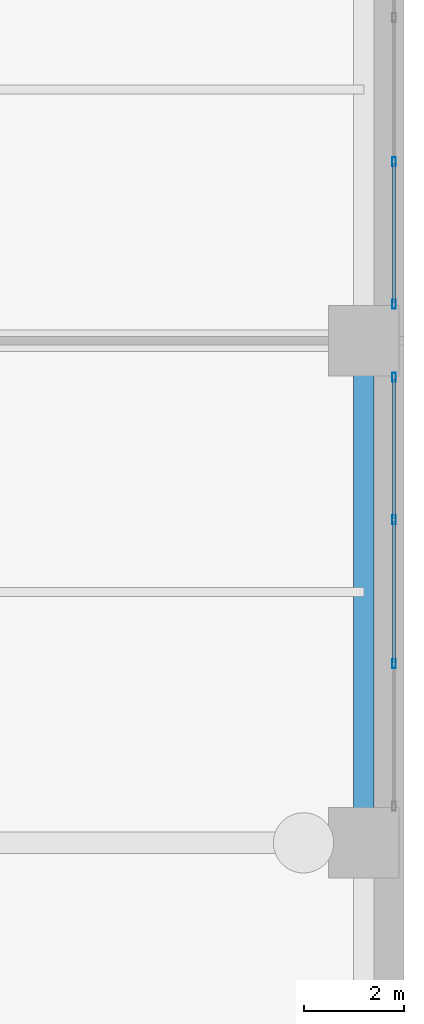
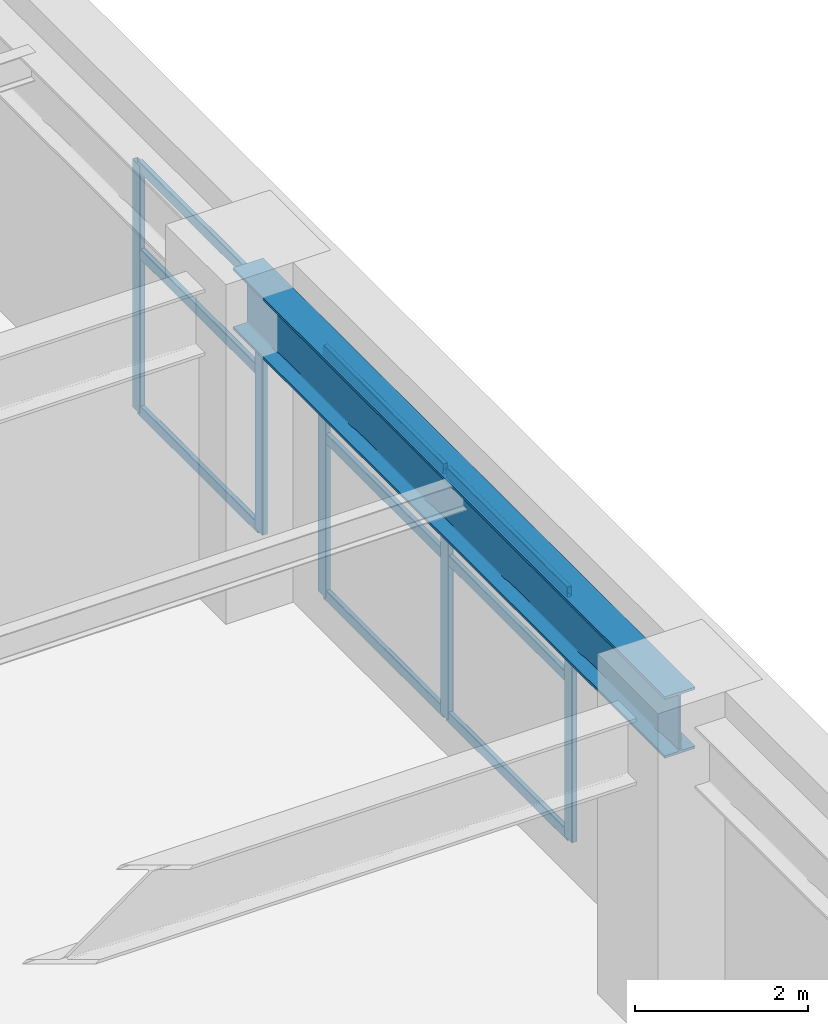
# One storey, part 14 of 25: 14 members, 1 beam, 2 elements without a shape of their own.
"""IFC4 building model written with IfcOpenShell, lengths in metres."""

from ifc_helpers import new_model, si_unit, direction, frame, origin, origin_2d, place, context, subcontext, project, spatial, hollow_rectangle, i_section, extrude, material, layer, layer_set, material_profile, profile_set, type_object, element, aggregate, save


model = new_model("IFC4")

# Units and contexts
model_context = context("Model", 3, precision=1e-05, world=origin(), true_north=direction((0.0, 1.0)))
body_context = subcontext(model_context, "Body", "Model", "MODEL_VIEW")
ifc_project = project(units=[si_unit("LENGTHUNIT", "METRE"), si_unit("AREAUNIT", "SQUARE_METRE"), si_unit("VOLUMEUNIT", "CUBIC_METRE"), si_unit("PLANEANGLEUNIT", "RADIAN"), si_unit("MASSUNIT", "GRAM", prefix="KILO")], contexts=[model_context])

# Site, building, storey
site_placement = place(None, origin())
site = spatial("IfcSite", under=ifc_project, at=site_placement, CompositionType="ELEMENT")
building_placement = place(site_placement, origin())
building = spatial("IfcBuilding", under=site, at=building_placement, Name="Soratama Intermodal Tower", CompositionType="ELEMENT")
storey_placement = place(building_placement, frame((0.0, 0.0, -10.199951171875)))
storey = spatial("IfcBuildingStorey", under=building, at=storey_placement, Name="B2", CompositionType="ELEMENT", Elevation=-10.199951171875)

# Beam
ifc_material_1 = material(Name="Structural steel ASTM A992 Grade 50", Category="steel")
ifc_material_profile_1 = material_profile(ifc_material_1, i_section(OverallWidth=0.403076171875, OverallDepth=0.867919921875, WebThickness=0.02099609375, FlangeThickness=0.03564453125, FilletRadius=0.01806640625, at=origin_2d()), Name="W33X241")
ifc_profile_set_1 = profile_set([ifc_material_profile_1], Name="Structural steel ASTM A992 Grade 50")
beam_type = type_object("IfcBeamType", Name="BM-POD-EXT-W33", PredefinedType="BEAM", material=ifc_profile_set_1)
beam_placement = place(storey_placement, frame((83.199951171875, 15.0, 4.005859375), z_axis=(0.0, 1.0, 0.0), x_axis=(-1.0, 0.0, 0.0)))
element("IfcBeam", 1, at=beam_placement, inside=storey, type_object=beam_type, Name="B2 Station Girder Y4-2", PredefinedType="BEAM", context=body_context, shape_type="SweptSolid", body=[
    extrude(i_section(OverallWidth=0.403076171875, OverallDepth=0.867919921875, WebThickness=0.02099609375, FlangeThickness=0.03564453125, FilletRadius=0.01806640625, at=origin_2d()), origin(), (0.0, 0.0, 1.0), 10.0),
])

# Curtain wall, members
ifc_material_2 = material(Name="Double-glazed aluminium curtain wall", Category="aluminium")
ifc_layer = layer(ifc_material_2, 0.159912109375)
ifc_layer_set = layer_set([ifc_layer], Name="Double-glazed aluminium curtain wall")
curtain_wall_type = type_object("IfcCurtainWallType", Name="CW-SYS-1", PredefinedType="NOTDEFINED", material=ifc_layer_set)
curtain_wall_1_placement = place(storey_placement, origin())
curtain_wall_1 = element("IfcCurtainWall", 2, at=curtain_wall_1_placement, inside=storey, type_object=curtain_wall_type, Name="B2 Station Curtain Wall E1", PredefinedType="NOTDEFINED")
ifc_material_3 = material(Name="Anodised aluminium AA 6063-T6", Category="aluminium")
ifc_material_profile_2 = material_profile(ifc_material_3, hollow_rectangle(XDim=0.074951171875, YDim=0.179931640625, WallThickness=0.006103515625, InnerFilletRadius=0.006103515625, OuterFilletRadius=0.011962890625, at=origin_2d()), Name="CWM180X75X6")
ifc_profile_set_2 = profile_set([ifc_material_profile_2], Name="Anodised aluminium AA 6063-T6")
member_type_1 = type_object("IfcMemberType", Name="MT-CWM-1", PredefinedType="MULLION", material=ifc_profile_set_2)
member_1_placement = place(storey_placement, frame((83.800048828125, 18.566650390625, 0.0), z_axis=(0.0, 0.0, 1.0), x_axis=(-1.0, 0.0, 0.0)))
member_1 = element("IfcMember", 3, at=member_1_placement, type_object=member_type_1, Name="CW-1 mullion 2", PredefinedType="MULLION", context=body_context, shape_type="SweptSolid", body=[
    extrude(hollow_rectangle(XDim=0.074951171875, YDim=0.179931640625, WallThickness=0.006103515625, InnerFilletRadius=0.006103515625, OuterFilletRadius=0.011962890625, at=origin_2d()), origin(), (0.0, 0.0, 1.0), 3.495849609375),
])
member_2_placement = place(storey_placement, frame((83.800048828125, 21.433349609375, 0.0), z_axis=(0.0, 0.0, 1.0), x_axis=(-1.0, 0.0, 0.0)))
member_2 = element("IfcMember", 4, at=member_2_placement, type_object=member_type_1, Name="CW-1 mullion 3", PredefinedType="MULLION", context=body_context, shape_type="SweptSolid", body=[
    extrude(hollow_rectangle(XDim=0.074951171875, YDim=0.179931640625, WallThickness=0.006103515625, InnerFilletRadius=0.006103515625, OuterFilletRadius=0.011962890625, at=origin_2d()), origin(), (0.0, 0.0, 1.0), 3.495849609375),
])
member_3_placement = place(storey_placement, frame((83.800048828125, 24.27001953125, 0.0), z_axis=(0.0, 0.0, 1.0), x_axis=(-1.0, 0.0, 0.0)))
member_3 = element("IfcMember", 5, at=member_3_placement, type_object=member_type_1, Name="CW-1 mullion 4", PredefinedType="MULLION", context=body_context, shape_type="SweptSolid", body=[
    extrude(hollow_rectangle(XDim=0.074951171875, YDim=0.179931640625, WallThickness=0.006103515625, InnerFilletRadius=0.006103515625, OuterFilletRadius=0.011962890625, at=origin_2d()), origin(), (0.0, 0.0, 1.0), 3.495849609375),
])

curtain_wall_2_placement = place(storey_placement, origin())
curtain_wall_2 = element("IfcCurtainWall", 6, at=curtain_wall_2_placement, inside=storey, type_object=curtain_wall_type, Name="B2 Station Curtain Wall E2", PredefinedType="NOTDEFINED")
member_4_placement = place(storey_placement, frame((83.800048828125, 25.72998046875, 0.0), z_axis=(0.0, 0.0, 1.0), x_axis=(-1.0, 0.0, 0.0)))
member_4 = element("IfcMember", 7, at=member_4_placement, type_object=member_type_1, Name="CW-1 mullion 1", PredefinedType="MULLION", context=body_context, shape_type="SweptSolid", body=[
    extrude(hollow_rectangle(XDim=0.074951171875, YDim=0.179931640625, WallThickness=0.006103515625, InnerFilletRadius=0.006103515625, OuterFilletRadius=0.011962890625, at=origin_2d()), origin(), (0.0, 0.0, 1.0), 3.495849609375),
])
member_5_placement = place(storey_placement, frame((83.800048828125, 28.566650390625, 0.0), z_axis=(0.0, 0.0, 1.0), x_axis=(-1.0, 0.0, 0.0)))
member_5 = element("IfcMember", 8, at=member_5_placement, type_object=member_type_1, Name="CW-1 mullion 2", PredefinedType="MULLION", context=body_context, shape_type="SweptSolid", body=[
    extrude(hollow_rectangle(XDim=0.074951171875, YDim=0.179931640625, WallThickness=0.006103515625, InnerFilletRadius=0.006103515625, OuterFilletRadius=0.011962890625, at=origin_2d()), origin(), (0.0, 0.0, 1.0), 3.495849609375),
])

# Member
ifc_material_4 = material(Name="Anodised aluminium AA 6063-T6", Category="aluminium")
ifc_material_profile_3 = material_profile(ifc_material_4, hollow_rectangle(XDim=0.06494140625, YDim=0.14990234375, WallThickness=0.0048828125, InnerFilletRadius=0.0048828125, OuterFilletRadius=0.010009765625, at=origin_2d()), Name="CWT150X65X5")
ifc_profile_set_3 = profile_set([ifc_material_profile_3], Name="Anodised aluminium AA 6063-T6")
member_type_2 = type_object("IfcMemberType", Name="TT-CWT-1", PredefinedType="USERDEFINED", material=ifc_profile_set_3)
member_6_placement = place(storey_placement, frame((83.800048828125, 18.5966796875, 0.030029296875), z_axis=(0.0, 1.0, 0.0), x_axis=(-1.0, 0.0, 0.0)))
member_6 = element("IfcMember", 9, at=member_6_placement, type_object=member_type_2, Name="CW-1 transom 2.1", ObjectType="TRANSOM", PredefinedType="USERDEFINED", context=body_context, shape_type="SweptSolid", body=[
    extrude(hollow_rectangle(XDim=0.06494140625, YDim=0.14990234375, WallThickness=0.0048828125, InnerFilletRadius=0.0048828125, OuterFilletRadius=0.010009765625, at=origin_2d()), origin(), (0.0, 0.0, 1.0), 2.806640625),
])

member_7_placement = place(storey_placement, frame((83.800048828125, 18.5966796875, 2.25), z_axis=(0.0, 1.0, 0.0), x_axis=(-1.0, 0.0, 0.0)))
member_7 = element("IfcMember", 10, at=member_7_placement, type_object=member_type_2, Name="CW-1 transom 2.2", ObjectType="TRANSOM", PredefinedType="USERDEFINED", context=body_context, shape_type="SweptSolid", body=[
    extrude(hollow_rectangle(XDim=0.06494140625, YDim=0.14990234375, WallThickness=0.0048828125, InnerFilletRadius=0.0048828125, OuterFilletRadius=0.010009765625, at=origin_2d()), origin(), (0.0, 0.0, 1.0), 2.806640625),
])

member_8_placement = place(storey_placement, frame((83.800048828125, 18.5966796875, 3.466064453125), z_axis=(0.0, 1.0, 0.0), x_axis=(-1.0, 0.0, 0.0)))
member_8 = element("IfcMember", 11, at=member_8_placement, type_object=member_type_2, Name="CW-1 transom 2.3", ObjectType="TRANSOM", PredefinedType="USERDEFINED", context=body_context, shape_type="SweptSolid", body=[
    extrude(hollow_rectangle(XDim=0.06494140625, YDim=0.14990234375, WallThickness=0.0048828125, InnerFilletRadius=0.0048828125, OuterFilletRadius=0.010009765625, at=origin_2d()), origin(), (0.0, 0.0, 1.0), 2.806640625),
])

member_9_placement = place(storey_placement, frame((83.800048828125, 21.46337890625, 0.030029296875), z_axis=(0.0, 1.0, 0.0), x_axis=(-1.0, 0.0, 0.0)))
member_9 = element("IfcMember", 12, at=member_9_placement, type_object=member_type_2, Name="CW-1 transom 3.1", ObjectType="TRANSOM", PredefinedType="USERDEFINED", context=body_context, shape_type="SweptSolid", body=[
    extrude(hollow_rectangle(XDim=0.06494140625, YDim=0.14990234375, WallThickness=0.0048828125, InnerFilletRadius=0.0048828125, OuterFilletRadius=0.010009765625, at=origin_2d()), origin(), (0.0, 0.0, 1.0), 2.776611328125),
])

member_10_placement = place(storey_placement, frame((83.800048828125, 21.46337890625, 2.25), z_axis=(0.0, 1.0, 0.0), x_axis=(-1.0, 0.0, 0.0)))
member_10 = element("IfcMember", 13, at=member_10_placement, type_object=member_type_2, Name="CW-1 transom 3.2", ObjectType="TRANSOM", PredefinedType="USERDEFINED", context=body_context, shape_type="SweptSolid", body=[
    extrude(hollow_rectangle(XDim=0.06494140625, YDim=0.14990234375, WallThickness=0.0048828125, InnerFilletRadius=0.0048828125, OuterFilletRadius=0.010009765625, at=origin_2d()), origin(), (0.0, 0.0, 1.0), 2.776611328125),
])

member_11_placement = place(storey_placement, frame((83.800048828125, 21.46337890625, 3.466064453125), z_axis=(0.0, 1.0, 0.0), x_axis=(-1.0, 0.0, 0.0)))
member_11 = element("IfcMember", 14, at=member_11_placement, type_object=member_type_2, Name="CW-1 transom 3.3", ObjectType="TRANSOM", PredefinedType="USERDEFINED", context=body_context, shape_type="SweptSolid", body=[
    extrude(hollow_rectangle(XDim=0.06494140625, YDim=0.14990234375, WallThickness=0.0048828125, InnerFilletRadius=0.0048828125, OuterFilletRadius=0.010009765625, at=origin_2d()), origin(), (0.0, 0.0, 1.0), 2.776611328125),
])

aggregate(curtain_wall_1, [member_1, member_2, member_3, member_6, member_7, member_8, member_9, member_10, member_11])

member_12_placement = place(storey_placement, frame((83.800048828125, 25.760009765625, 0.030029296875), z_axis=(0.0, 1.0, 0.0), x_axis=(-1.0, 0.0, 0.0)))
member_12 = element("IfcMember", 15, at=member_12_placement, type_object=member_type_2, Name="CW-1 transom 1.1", ObjectType="TRANSOM", PredefinedType="USERDEFINED", context=body_context, shape_type="SweptSolid", body=[
    extrude(hollow_rectangle(XDim=0.06494140625, YDim=0.14990234375, WallThickness=0.0048828125, InnerFilletRadius=0.0048828125, OuterFilletRadius=0.010009765625, at=origin_2d()), origin(), (0.0, 0.0, 1.0), 2.776611328125),
])

member_13_placement = place(storey_placement, frame((83.800048828125, 25.760009765625, 2.25), z_axis=(0.0, 1.0, 0.0), x_axis=(-1.0, 0.0, 0.0)))
member_13 = element("IfcMember", 16, at=member_13_placement, type_object=member_type_2, Name="CW-1 transom 1.2", ObjectType="TRANSOM", PredefinedType="USERDEFINED", context=body_context, shape_type="SweptSolid", body=[
    extrude(hollow_rectangle(XDim=0.06494140625, YDim=0.14990234375, WallThickness=0.0048828125, InnerFilletRadius=0.0048828125, OuterFilletRadius=0.010009765625, at=origin_2d()), origin(), (0.0, 0.0, 1.0), 2.776611328125),
])

member_14_placement = place(storey_placement, frame((83.800048828125, 25.760009765625, 3.466064453125), z_axis=(0.0, 1.0, 0.0), x_axis=(-1.0, 0.0, 0.0)))
member_14 = element("IfcMember", 17, at=member_14_placement, type_object=member_type_2, Name="CW-1 transom 1.3", ObjectType="TRANSOM", PredefinedType="USERDEFINED", context=body_context, shape_type="SweptSolid", body=[
    extrude(hollow_rectangle(XDim=0.06494140625, YDim=0.14990234375, WallThickness=0.0048828125, InnerFilletRadius=0.0048828125, OuterFilletRadius=0.010009765625, at=origin_2d()), origin(), (0.0, 0.0, 1.0), 2.776611328125),
])

aggregate(curtain_wall_2, [member_4, member_5, member_12, member_13, member_14])

save(model, "model.ifc")
